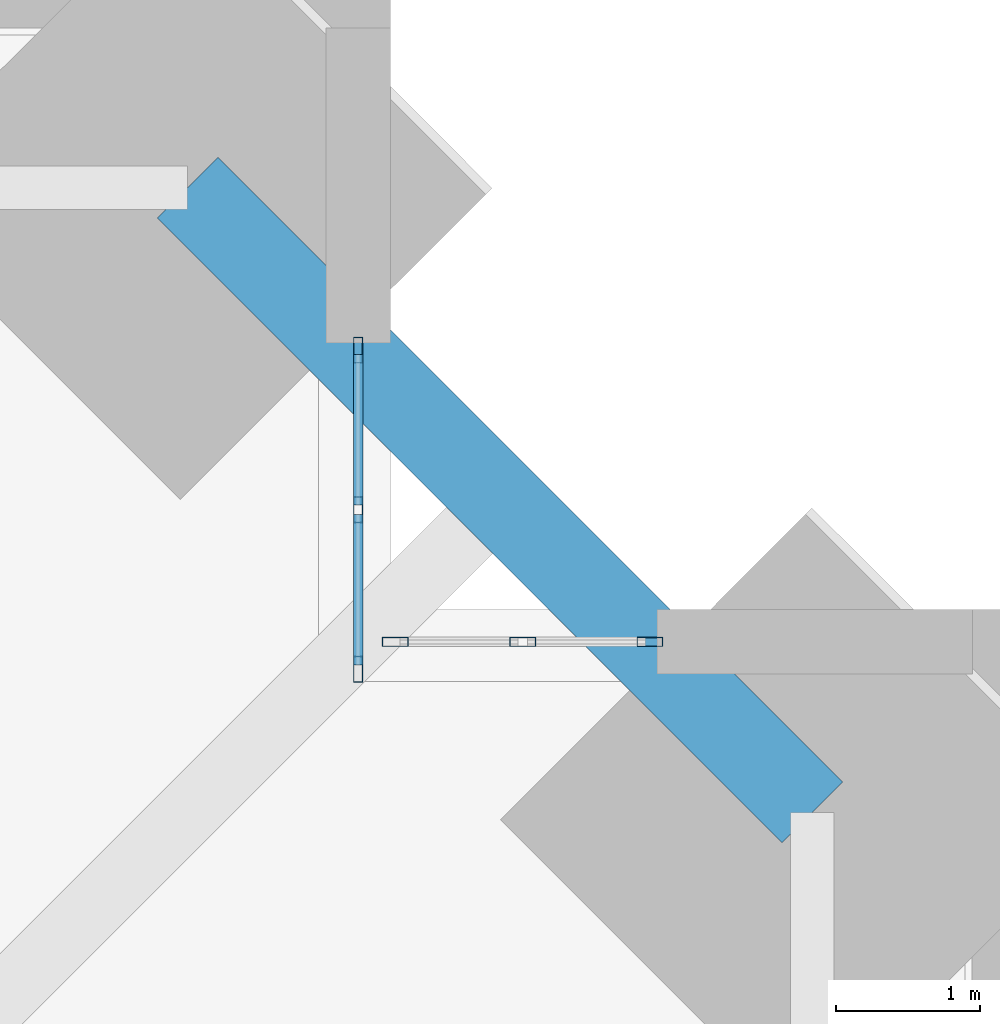
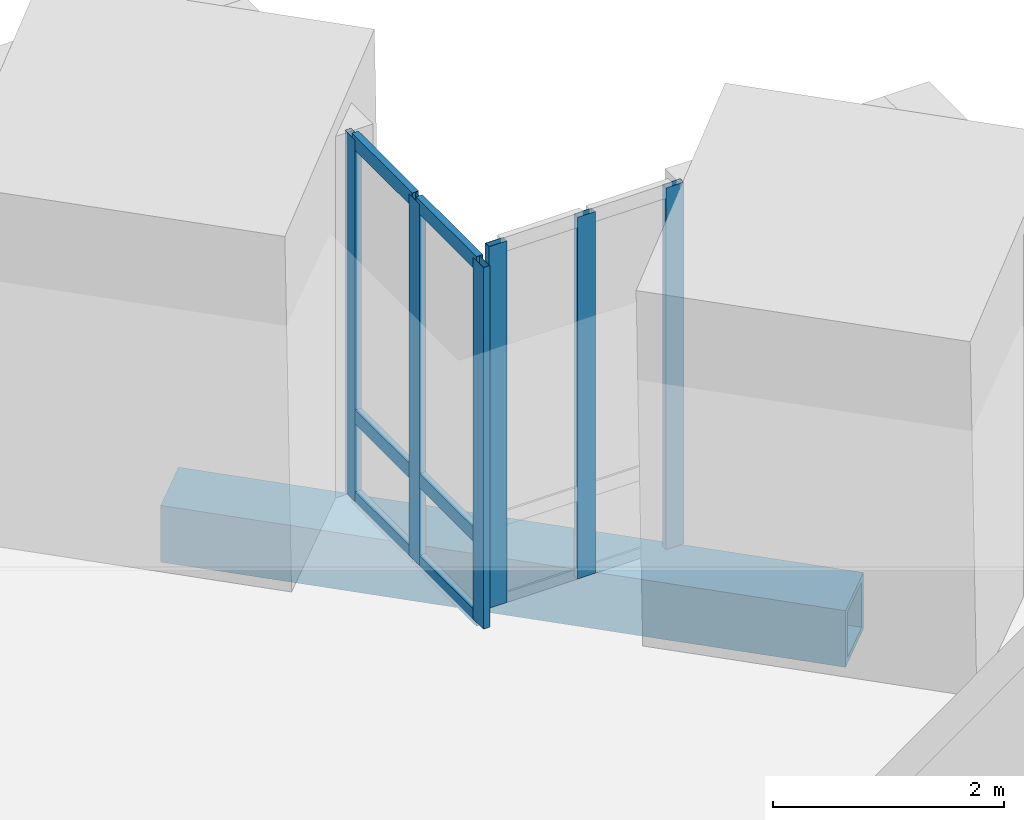
# One storey, part 8 of 15: 12 members, 1 beam, 2 elements without a shape of their own.
"""IFC4 building model written with IfcOpenShell, lengths in metres."""

from ifc_helpers import new_model, si_unit, direction, frame, origin, origin_2d, place, context, subcontext, project, spatial, hollow_rectangle, extrude, material, material_profile, profile_set, type_object, element, aggregate, save


model = new_model("IFC4")

# Units and contexts
model_context = context("Model", 3, precision=1e-05, world=origin(), true_north=direction((0.0, 1.0)))
body_context = subcontext(model_context, "Body", "Model", "MODEL_VIEW")
ifc_project = project(units=[si_unit("LENGTHUNIT", "METRE"), si_unit("AREAUNIT", "SQUARE_METRE"), si_unit("VOLUMEUNIT", "CUBIC_METRE"), si_unit("PLANEANGLEUNIT", "RADIAN"), si_unit("MASSUNIT", "GRAM", prefix="KILO")], contexts=[model_context])

# Site, building, storey
site_placement = place(None, origin())
site = spatial("IfcSite", under=ifc_project, at=site_placement, CompositionType="ELEMENT")
building_placement = place(site_placement, origin())
building = spatial("IfcBuilding", under=site, at=building_placement, Name="Peilmerk Tower", CompositionType="ELEMENT")
storey_placement = place(building_placement, frame((0.0, 0.0, 209.800048828125)))
storey = spatial("IfcBuildingStorey", under=building, at=storey_placement, Name="L45", CompositionType="ELEMENT", Elevation=209.800048828125)

# Beam
ifc_material_1 = material(Name="Steel S460", Category="steel")
ifc_material_profile_1 = material_profile(ifc_material_1, hollow_rectangle(XDim=0.60009765625, YDim=0.60009765625, WallThickness=0.06005859375, at=origin_2d()), Name="BOX 600x600x60")
ifc_profile_set_1 = profile_set([ifc_material_profile_1], Name="Steel S460")
beam_type = type_object("IfcBeamType", Name="B20 BOX 600x600x60 notch beam", PredefinedType="SPANDREL", material=ifc_profile_set_1)
beam_placement = place(storey_placement, frame((18.087158203125, 22.43701171875, -0.469970703125), z_axis=(0.707106781187, -0.707106781187, 0.0), x_axis=(0.707106781187, 0.707106781187, 0.0)))
element("IfcBeam", 1, at=beam_placement, inside=storey, type_object=beam_type, Name="Notch beam L45", PredefinedType="SPANDREL", context=body_context, shape_type="SweptSolid", body=[
    extrude(hollow_rectangle(XDim=0.60009765625, YDim=0.60009765625, WallThickness=0.06005859375, at=origin_2d()), origin(), (0.0, 0.0, 1.0), 6.151611328125),
])

# Curtain wall, members
ifc_material_2 = material(Name="Aluminium stick curtain wall", Category="aluminium")
curtain_wall_type = type_object("IfcCurtainWallType", Name="CW4 stick curtain wall, 2250 module", PredefinedType="NOTDEFINED", material=ifc_material_2)
curtain_wall_1_placement = place(storey_placement, origin())
curtain_wall_1 = element("IfcCurtainWall", 2, at=curtain_wall_1_placement, inside=storey, type_object=curtain_wall_type, Name="Curtain wall CW4 NEA L45", PredefinedType="NOTDEFINED")
ifc_material_3 = material(Name="Aluminium EN AW-6063 T6", Category="aluminium")
ifc_material_profile_2 = material_profile(ifc_material_3, hollow_rectangle(XDim=0.06494140625, YDim=0.179931640625, WallThickness=0.0029296875, at=origin_2d()), Name="AL 180x65x3")
ifc_profile_set_2 = profile_set([ifc_material_profile_2], Name="Aluminium EN AW-6063 T6")
member_type_1 = type_object("IfcMemberType", Name="CW4-M AL 180x65x3 mullion", PredefinedType="MULLION", material=ifc_profile_set_2)
member_1_placement = place(storey_placement, frame((19.27490234375, 19.08251953125, 0.0), z_axis=(0.0, 0.0, 1.0), x_axis=(-1.0, 0.0, 0.0)))
member_1 = element("IfcMember", 3, at=member_1_placement, type_object=member_type_1, Name="CW4 mullion 1", PredefinedType="MULLION", context=body_context, shape_type="SweptSolid", body=[
    extrude(hollow_rectangle(XDim=0.06494140625, YDim=0.179931640625, WallThickness=0.0029296875, at=origin_2d()), origin(), (0.0, 0.0, 1.0), 3.829833984375),
])
member_2_placement = place(storey_placement, frame((19.27490234375, 20.1943359375, 0.0), z_axis=(0.0, 0.0, 1.0), x_axis=(-1.0, 0.0, 0.0)))
member_2 = element("IfcMember", 4, at=member_2_placement, type_object=member_type_1, Name="CW4 mullion 2", PredefinedType="MULLION", context=body_context, shape_type="SweptSolid", body=[
    extrude(hollow_rectangle(XDim=0.06494140625, YDim=0.179931640625, WallThickness=0.0029296875, at=origin_2d()), origin(), (0.0, 0.0, 1.0), 3.829833984375),
])
member_3_placement = place(storey_placement, frame((19.27490234375, 21.30615234375, 0.0), z_axis=(0.0, 0.0, 1.0), x_axis=(-1.0, 0.0, 0.0)))
member_3 = element("IfcMember", 5, at=member_3_placement, type_object=member_type_1, Name="CW4 mullion 3", PredefinedType="MULLION", context=body_context, shape_type="SweptSolid", body=[
    extrude(hollow_rectangle(XDim=0.06494140625, YDim=0.179931640625, WallThickness=0.0029296875, at=origin_2d()), origin(), (0.0, 0.0, 1.0), 3.829833984375),
])

curtain_wall_2_placement = place(storey_placement, origin())
curtain_wall_2 = element("IfcCurtainWall", 6, at=curtain_wall_2_placement, inside=storey, type_object=curtain_wall_type, Name="Curtain wall CW4 NEB L45", PredefinedType="NOTDEFINED")
member_4_placement = place(storey_placement, frame((19.532470703125, 19.27490234375, 0.0), z_axis=(0.0, 0.0, 1.0), x_axis=(0.0, 1.0, 0.0)))
member_4 = element("IfcMember", 7, at=member_4_placement, type_object=member_type_1, Name="CW4 mullion 1", PredefinedType="MULLION", context=body_context, shape_type="SweptSolid", body=[
    extrude(hollow_rectangle(XDim=0.06494140625, YDim=0.179931640625, WallThickness=0.0029296875, at=origin_2d()), origin(), (0.0, 0.0, 1.0), 3.829833984375),
])
member_5_placement = place(storey_placement, frame((20.41943359375, 19.27490234375, 0.0), z_axis=(0.0, 0.0, 1.0), x_axis=(0.0, 1.0, 0.0)))
member_5 = element("IfcMember", 8, at=member_5_placement, type_object=member_type_1, Name="CW4 mullion 2", PredefinedType="MULLION", context=body_context, shape_type="SweptSolid", body=[
    extrude(hollow_rectangle(XDim=0.06494140625, YDim=0.179931640625, WallThickness=0.0029296875, at=origin_2d()), origin(), (0.0, 0.0, 1.0), 3.829833984375),
])
member_6_placement = place(storey_placement, frame((21.30615234375, 19.27490234375, 0.0), z_axis=(0.0, 0.0, 1.0), x_axis=(0.0, 1.0, 0.0)))
member_6 = element("IfcMember", 9, at=member_6_placement, type_object=member_type_1, Name="CW4 mullion 3", PredefinedType="MULLION", context=body_context, shape_type="SweptSolid", body=[
    extrude(hollow_rectangle(XDim=0.06494140625, YDim=0.179931640625, WallThickness=0.0029296875, at=origin_2d()), origin(), (0.0, 0.0, 1.0), 3.829833984375),
])
aggregate(curtain_wall_2, [member_4, member_5, member_6])

# Member
ifc_material_profile_3 = material_profile(ifc_material_3, hollow_rectangle(XDim=0.06494140625, YDim=0.14990234375, WallThickness=0.0029296875, at=origin_2d()), Name="AL 150x65x3")
ifc_profile_set_3 = profile_set([ifc_material_profile_3], Name="Aluminium EN AW-6063 T6")
member_type_2 = type_object("IfcMemberType", Name="CW4-T AL 150x65x3 transom", PredefinedType="USERDEFINED", material=ifc_profile_set_3)
member_7_placement = place(storey_placement, frame((19.27490234375, 19.114990234375, 0.032470703125), z_axis=(0.0, 1.0, 0.0), x_axis=(-1.0, 0.0, 0.0)))
member_7 = element("IfcMember", 10, at=member_7_placement, type_object=member_type_2, Name="CW4 transom 1.1", ObjectType="TRANSOM", PredefinedType="USERDEFINED", context=body_context, shape_type="SweptSolid", body=[
    extrude(hollow_rectangle(XDim=0.06494140625, YDim=0.14990234375, WallThickness=0.0029296875, at=origin_2d()), origin(), (0.0, 0.0, 1.0), 1.046875),
])

member_8_placement = place(storey_placement, frame((19.27490234375, 19.114990234375, 0.89990234375), z_axis=(0.0, 1.0, 0.0), x_axis=(-1.0, 0.0, 0.0)))
member_8 = element("IfcMember", 11, at=member_8_placement, type_object=member_type_2, Name="CW4 transom 1.2", ObjectType="TRANSOM", PredefinedType="USERDEFINED", context=body_context, shape_type="SweptSolid", body=[
    extrude(hollow_rectangle(XDim=0.06494140625, YDim=0.14990234375, WallThickness=0.0029296875, at=origin_2d()), origin(), (0.0, 0.0, 1.0), 1.046875),
])

member_9_placement = place(storey_placement, frame((19.27490234375, 19.114990234375, 3.79736328125), z_axis=(0.0, 1.0, 0.0), x_axis=(-1.0, 0.0, 0.0)))
member_9 = element("IfcMember", 12, at=member_9_placement, type_object=member_type_2, Name="CW4 transom 1.3", ObjectType="TRANSOM", PredefinedType="USERDEFINED", context=body_context, shape_type="SweptSolid", body=[
    extrude(hollow_rectangle(XDim=0.06494140625, YDim=0.14990234375, WallThickness=0.0029296875, at=origin_2d()), origin(), (0.0, 0.0, 1.0), 1.046875),
])

member_10_placement = place(storey_placement, frame((19.27490234375, 20.226806640625, 0.032470703125), z_axis=(0.0, 1.0, 0.0), x_axis=(-1.0, 0.0, 0.0)))
member_10 = element("IfcMember", 13, at=member_10_placement, type_object=member_type_2, Name="CW4 transom 2.1", ObjectType="TRANSOM", PredefinedType="USERDEFINED", context=body_context, shape_type="SweptSolid", body=[
    extrude(hollow_rectangle(XDim=0.06494140625, YDim=0.14990234375, WallThickness=0.0029296875, at=origin_2d()), origin(), (0.0, 0.0, 1.0), 1.046875),
])

member_11_placement = place(storey_placement, frame((19.27490234375, 20.226806640625, 0.89990234375), z_axis=(0.0, 1.0, 0.0), x_axis=(-1.0, 0.0, 0.0)))
member_11 = element("IfcMember", 14, at=member_11_placement, type_object=member_type_2, Name="CW4 transom 2.2", ObjectType="TRANSOM", PredefinedType="USERDEFINED", context=body_context, shape_type="SweptSolid", body=[
    extrude(hollow_rectangle(XDim=0.06494140625, YDim=0.14990234375, WallThickness=0.0029296875, at=origin_2d()), origin(), (0.0, 0.0, 1.0), 1.046875),
])

member_12_placement = place(storey_placement, frame((19.27490234375, 20.226806640625, 3.79736328125), z_axis=(0.0, 1.0, 0.0), x_axis=(-1.0, 0.0, 0.0)))
member_12 = element("IfcMember", 15, at=member_12_placement, type_object=member_type_2, Name="CW4 transom 2.3", ObjectType="TRANSOM", PredefinedType="USERDEFINED", context=body_context, shape_type="SweptSolid", body=[
    extrude(hollow_rectangle(XDim=0.06494140625, YDim=0.14990234375, WallThickness=0.0029296875, at=origin_2d()), origin(), (0.0, 0.0, 1.0), 1.046875),
])

aggregate(curtain_wall_1, [member_1, member_2, member_3, member_7, member_8, member_9, member_10, member_11, member_12])

save(model, "model.ifc")
